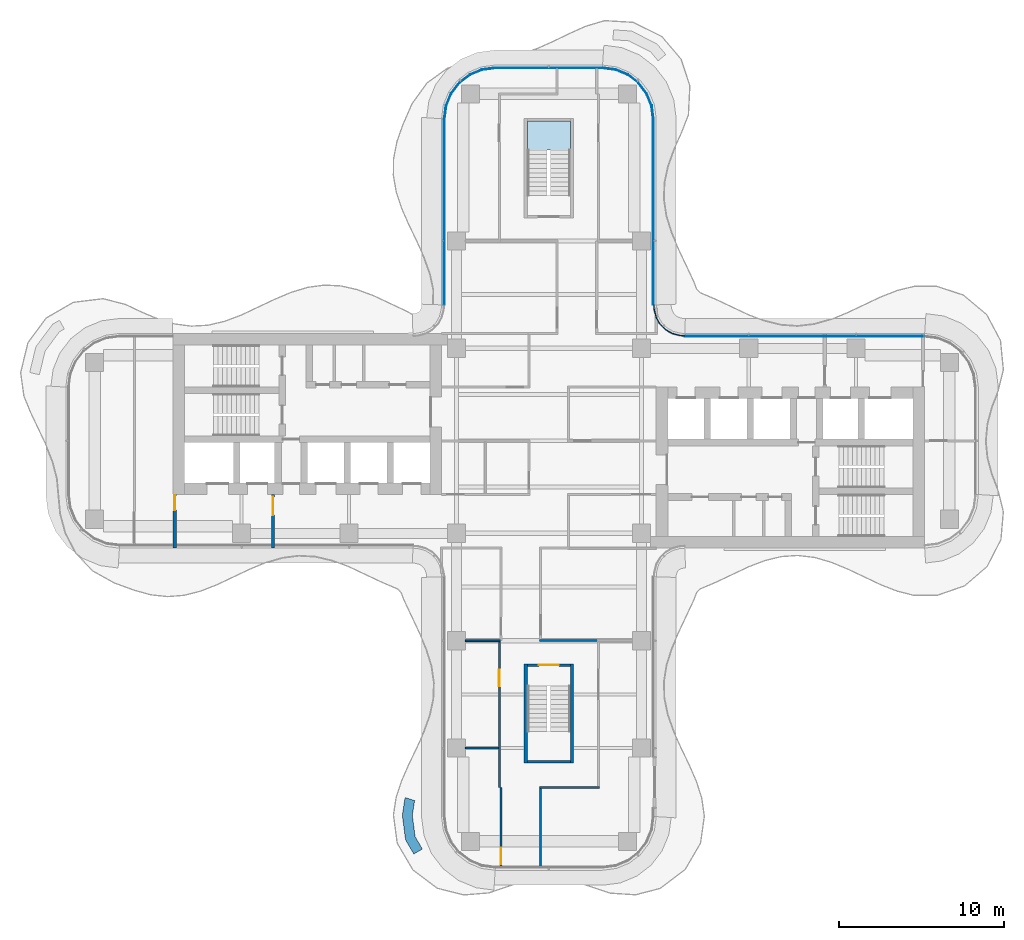
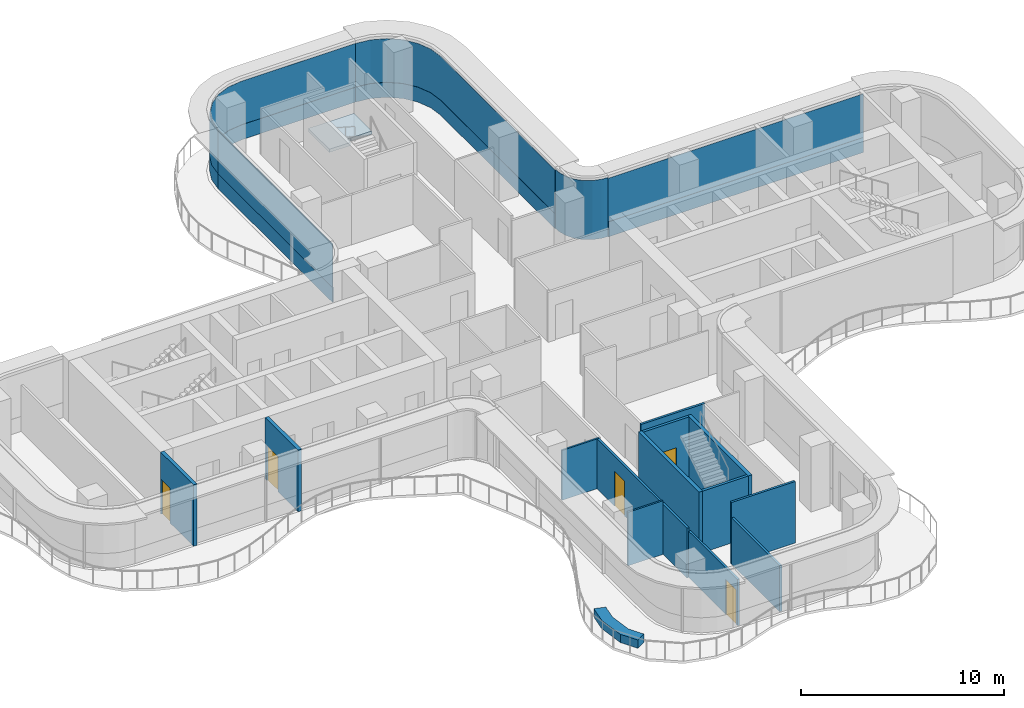
# One storey, part 11 of 17: 14 walls, 9 plates, 5 doors, 1 slab, 5 openings, 6 elements without a shape of their own.
"""IFC4 building model written with IfcOpenShell, lengths in metres."""

from ifc_helpers import new_model, si_unit, direction, frame, frame_2d, origin, place, context, subcontext, project, spatial, polyline, rectangle, outline, extrude, source, transform, mapped, material, layer, layer_set, type_object, element, fill, aggregate, save


model = new_model("IFC4")

# Units and contexts
model_context = context("Model", 3, precision=1e-05, world=origin(), true_north=direction((0.0, 1.0)))
body_context = subcontext(model_context, "Body", "Model", "MODEL_VIEW")
ifc_project = project(units=[si_unit("LENGTHUNIT", "METRE"), si_unit("AREAUNIT", "SQUARE_METRE"), si_unit("VOLUMEUNIT", "CUBIC_METRE"), si_unit("PLANEANGLEUNIT", "RADIAN"), si_unit("MASSUNIT", "GRAM", prefix="KILO")], contexts=[model_context])

# Site, building, storey
site_placement = place(None, origin())
site = spatial("IfcSite", under=ifc_project, at=site_placement, CompositionType="ELEMENT")
building_placement = place(site_placement, origin())
building = spatial("IfcBuilding", under=site, at=building_placement, Name="Trellis Farm Tower", CompositionType="ELEMENT")
storey_placement = place(building_placement, frame((0.0, 0.0, 236.300048828125)))
storey = spatial("IfcBuildingStorey", under=building, at=storey_placement, Name="L52", CompositionType="ELEMENT", Elevation=236.300048828125)

# Stair, slab
ifc_material_1 = material(Name="Concrete C50/60", Category="concrete")
stair_type = type_object("IfcStairType", Name="CORE EXIT STAIR 22 RISERS 177 MM", PredefinedType="HALF_TURN_STAIR", material=ifc_material_1)
placement_1 = place(storey_placement, origin())
stair = element("IfcStair", 1, at=placement_1, inside=storey, type_object=stair_type, Name="Exit stair N", PredefinedType="HALF_TURN_STAIR")
ifc_layer_1 = layer(ifc_material_1, 0.18994140625)
ifc_layer_set_1 = layer_set([ifc_layer_1], Name="CORE STAIR LANDING 190 CONCRETE C50/60")
slab_type = type_object("IfcSlabType", Name="CORE STAIR LANDING 190 CONCRETE C50/60", PredefinedType="LANDING", material=ifc_layer_set_1)
shared_shape_1 = source(origin(), body_context, "Body", "SweptSolid", [
    extrude(outline(polyline([(-0.10009765625, 17.27197265625), (-1.300048828125, 17.27197265625), (-1.300048828125, 17.60009765625), (-1.300048828125, 19.35009765625), (1.300048828125, 19.35009765625), (1.300048828125, 17.60009765625), (1.300048828125, 17.590087890625), (0.10009765625, 17.590087890625), (0.10009765625, 17.60009765625), (-0.10009765625, 17.60009765625), (-0.10009765625, 17.27197265625)])), origin(), (0.0, 0.0, 1.0), 0.18994140625),
])
slab_placement = place(storey_placement, frame((0.0, 0.0, 1.760009765625)))
slab = element("IfcSlab", 2, at=slab_placement, type_object=slab_type, Name="STN landing 1", PredefinedType="LANDING", context=body_context, shape_type="MappedRepresentation", body=[
    mapped(shared_shape_1, transform((0.0, 0.0, 0.0))),
])
aggregate(stair, [slab])

# Curtain wall, plate
ifc_material_2 = material(Name="Aluminium and glass curtain wall", Category="aluminium")
ifc_layer_2 = layer(ifc_material_2, 0.166015625)
ifc_layer_set_2 = layer_set([ifc_layer_2], Name="WINTER GARDEN CURTAIN WALL CW3")
curtain_wall_type_1 = type_object("IfcCurtainWallType", Name="WINTER GARDEN CURTAIN WALL CW3", PredefinedType="NOTDEFINED", material=ifc_layer_set_2)
curtain_wall_1 = element("IfcCurtainWall", 3, at=placement_1, inside=storey, type_object=curtain_wall_type_1, Name="CW3 003", PredefinedType="NOTDEFINED")
ifc_material_3 = material(Name="Clear insulated glass", Category="glass")
ifc_layer_3 = layer(ifc_material_3, 0.0458984375)
ifc_layer_set_3 = layer_set([ifc_layer_3], Name="CW3 GLASS PANEL 46")
plate_type_1 = type_object("IfcPlateType", Name="CW3 GLASS PANEL 46", PredefinedType="CURTAIN_PANEL", material=ifc_layer_set_3)
shared_shape_2 = source(origin(), body_context, "Body", "SweptSolid", [
    extrude(outline(polyline([(8.2275390625, 6.3798828125), (8.0078125, 6.394287109375), (7.89208984375, 6.40966796875), (7.462158203125, 6.52490234375), (7.070556640625, 6.7509765625), (6.7509765625, 7.070556640625), (6.52490234375, 7.462158203125), (6.40966796875, 7.89208984375), (6.394287109375, 8.0078125), (6.3798828125, 8.2275390625), (6.333984375, 8.22607421875), (6.3486328125, 8.003173828125), (6.364501953125, 7.883056640625), (6.48193359375, 7.4443359375), (6.714111328125, 7.04248046875), (7.04248046875, 6.714111328125), (7.4443359375, 6.48193359375), (7.883056640625, 6.364501953125), (8.003173828125, 6.3486328125), (8.22607421875, 6.333984375), (8.2275390625, 6.3798828125)])), origin(), (0.0, 0.0, 1.0), 3.550048828125),
])
plate_1 = element("IfcPlate", 4, at=placement_1, type_object=plate_type_1, Name="PL3 003", PredefinedType="CURTAIN_PANEL", context=body_context, shape_type="MappedRepresentation", body=[
    mapped(shared_shape_2, transform((0.0, 0.0, 0.0))),
])
aggregate(curtain_wall_1, [plate_1])

# Curtain wall, plates
ifc_layer_4 = layer(ifc_material_2, 0.18994140625)
ifc_layer_set_4 = layer_set([ifc_layer_4], Name="RIBBON CURTAIN WALL CW1")
curtain_wall_type_2 = type_object("IfcCurtainWallType", Name="RIBBON CURTAIN WALL CW1", PredefinedType="NOTDEFINED", material=ifc_layer_set_4)
curtain_wall_2 = element("IfcCurtainWall", 5, at=placement_1, inside=storey, type_object=curtain_wall_type_2, Name="CW1 009", PredefinedType="NOTDEFINED")
ifc_layer_5 = layer(ifc_material_3, 0.0400390625)
ifc_layer_set_5 = layer_set([ifc_layer_5], Name="CW1 GLASS PANEL 40")
plate_type_2 = type_object("IfcPlateType", Name="CW1 GLASS PANEL 40", PredefinedType="CURTAIN_PANEL", material=ifc_layer_set_5)
shared_shape_3 = source(origin(), body_context, "Body", "SweptSolid", [
    extrude(outline(polyline([(6.35009765625, 8.2265625), (6.35009765625, 19.490234375), (6.2431640625, 20.302001953125), (5.93359375, 21.04931640625), (5.441162109375, 21.691162109375), (4.79931640625, 22.18359375), (4.052001953125, 22.4931640625), (3.240234375, 22.60009765625), (3.237548828125, 22.56005859375), (4.04150390625, 22.4541015625), (4.779296875, 22.148681640625), (5.41259765625, 21.66259765625), (5.898681640625, 21.029296875), (6.2041015625, 20.29150390625), (6.31005859375, 19.487548828125), (6.31005859375, 8.22509765625), (6.35009765625, 8.2265625)])), origin(), (0.0, 0.0, 1.0), 2.6201171875),
])
placement_2 = place(storey_placement, frame((0.0, 0.0, 0.89990234375)))
plate_2 = element("IfcPlate", 6, at=placement_2, type_object=plate_type_2, Name="PL1 009", PredefinedType="CURTAIN_PANEL", context=body_context, shape_type="MappedRepresentation", body=[
    mapped(shared_shape_3, transform((0.0, 0.0, 0.0))),
])
ifc_material_4 = material(Name="Sandstone faced insulated panel", Category="masonry")
ifc_layer_6 = layer(ifc_material_4, 0.050048828125)
ifc_layer_set_6 = layer_set([ifc_layer_6], Name="CW1 STONE SPANDREL PANEL 50")
plate_type_3 = type_object("IfcPlateType", Name="CW1 STONE SPANDREL PANEL 50", PredefinedType="CURTAIN_PANEL", material=ifc_layer_set_6)
shared_shape_4 = source(origin(), body_context, "Body", "SweptSolid", [
    extrude(outline(polyline([(6.35009765625, 8.2265625), (6.35009765625, 19.490234375), (6.2431640625, 20.302001953125), (5.93359375, 21.04931640625), (5.441162109375, 21.691162109375), (4.79931640625, 22.18359375), (4.052001953125, 22.4931640625), (3.240234375, 22.60009765625), (3.23681640625, 22.550048828125), (4.0390625, 22.4443359375), (4.774169921875, 22.139892578125), (5.405517578125, 21.655517578125), (5.889892578125, 21.024169921875), (6.1943359375, 20.2890625), (6.300048828125, 19.48681640625), (6.300048828125, 8.224853515625), (6.35009765625, 8.2265625)])), origin(), (0.0, 0.0, 1.0), 0.89990234375),
])
plate_3 = element("IfcPlate", 7, at=placement_1, type_object=plate_type_3, Name="PS1 009", PredefinedType="CURTAIN_PANEL", context=body_context, shape_type="MappedRepresentation", body=[
    mapped(shared_shape_4, transform((0.0, 0.0, 0.0))),
])
aggregate(curtain_wall_2, [plate_2, plate_3])

curtain_wall_3 = element("IfcCurtainWall", 8, at=placement_1, inside=storey, type_object=curtain_wall_type_2, Name="CW1 010", PredefinedType="NOTDEFINED")
shared_shape_5 = source(origin(), body_context, "Body", "SweptSolid", [
    extrude(outline(polyline([(3.240234375, 22.60009765625), (-3.240234375, 22.60009765625), (-4.052001953125, 22.4931640625), (-4.79931640625, 22.18359375), (-5.441162109375, 21.691162109375), (-5.93359375, 21.04931640625), (-6.2431640625, 20.302001953125), (-6.35009765625, 19.490234375), (-6.31005859375, 19.487548828125), (-6.2041015625, 20.29150390625), (-5.898681640625, 21.029296875), (-5.41259765625, 21.66259765625), (-4.779296875, 22.148681640625), (-4.04150390625, 22.4541015625), (-3.237548828125, 22.56005859375), (3.237548828125, 22.56005859375), (3.240234375, 22.60009765625)])), origin(), (0.0, 0.0, 1.0), 2.6201171875),
])
plate_4 = element("IfcPlate", 9, at=placement_2, type_object=plate_type_2, Name="PL1 010", PredefinedType="CURTAIN_PANEL", context=body_context, shape_type="MappedRepresentation", body=[
    mapped(shared_shape_5, transform((0.0, 0.0, 0.0))),
])
shared_shape_6 = source(origin(), body_context, "Body", "SweptSolid", [
    extrude(outline(polyline([(3.240234375, 22.60009765625), (-3.240234375, 22.60009765625), (-4.052001953125, 22.4931640625), (-4.79931640625, 22.18359375), (-5.441162109375, 21.691162109375), (-5.93359375, 21.04931640625), (-6.2431640625, 20.302001953125), (-6.35009765625, 19.490234375), (-6.300048828125, 19.48681640625), (-6.1943359375, 20.2890625), (-5.889892578125, 21.024169921875), (-5.405517578125, 21.655517578125), (-4.774169921875, 22.139892578125), (-4.0390625, 22.4443359375), (-3.23681640625, 22.550048828125), (3.23681640625, 22.550048828125), (3.240234375, 22.60009765625)])), origin(), (0.0, 0.0, 1.0), 0.89990234375),
])
plate_5 = element("IfcPlate", 10, at=placement_1, type_object=plate_type_3, Name="PS1 010", PredefinedType="CURTAIN_PANEL", context=body_context, shape_type="MappedRepresentation", body=[
    mapped(shared_shape_6, transform((0.0, 0.0, 0.0))),
])
aggregate(curtain_wall_3, [plate_4, plate_5])

curtain_wall_4 = element("IfcCurtainWall", 11, at=placement_1, inside=storey, type_object=curtain_wall_type_2, Name="CW1 011", PredefinedType="NOTDEFINED")
shared_shape_7 = source(origin(), body_context, "Body", "SweptSolid", [
    extrude(outline(polyline([(-6.35009765625, 19.490234375), (-6.35009765625, 8.2265625), (-6.31005859375, 8.22509765625), (-6.31005859375, 19.487548828125), (-6.35009765625, 19.490234375)])), origin(), (0.0, 0.0, 1.0), 2.6201171875),
])
plate_6 = element("IfcPlate", 12, at=placement_2, type_object=plate_type_2, Name="PL1 011", PredefinedType="CURTAIN_PANEL", context=body_context, shape_type="MappedRepresentation", body=[
    mapped(shared_shape_7, transform((0.0, 0.0, 0.0))),
])
shared_shape_8 = source(origin(), body_context, "Body", "SweptSolid", [
    extrude(outline(polyline([(-6.35009765625, 19.490234375), (-6.35009765625, 8.2265625), (-6.300048828125, 8.224853515625), (-6.300048828125, 19.48681640625), (-6.35009765625, 19.490234375)])), origin(), (0.0, 0.0, 1.0), 0.89990234375),
])
plate_7 = element("IfcPlate", 13, at=placement_1, type_object=plate_type_3, Name="PS1 011", PredefinedType="CURTAIN_PANEL", context=body_context, shape_type="MappedRepresentation", body=[
    mapped(shared_shape_8, transform((0.0, 0.0, 0.0))),
])
aggregate(curtain_wall_4, [plate_6, plate_7])

curtain_wall_5 = element("IfcCurtainWall", 14, at=placement_1, inside=storey, type_object=curtain_wall_type_2, Name="CW1 008", PredefinedType="NOTDEFINED")
shared_shape_9 = source(origin(), body_context, "Body", "SweptSolid", [
    extrude(outline(polyline([(22.740234375, 6.35009765625), (8.2265625, 6.35009765625), (8.22509765625, 6.31005859375), (22.737548828125, 6.31005859375), (22.740234375, 6.35009765625)])), origin(), (0.0, 0.0, 1.0), 2.6201171875),
])
plate_8 = element("IfcPlate", 15, at=placement_2, type_object=plate_type_2, Name="PL1 008", PredefinedType="CURTAIN_PANEL", context=body_context, shape_type="MappedRepresentation", body=[
    mapped(shared_shape_9, transform((0.0, 0.0, 0.0))),
])
shared_shape_10 = source(origin(), body_context, "Body", "SweptSolid", [
    extrude(outline(polyline([(22.740234375, 6.35009765625), (8.2265625, 6.35009765625), (8.224853515625, 6.300048828125), (22.73681640625, 6.300048828125), (22.740234375, 6.35009765625)])), origin(), (0.0, 0.0, 1.0), 0.89990234375),
])
plate_9 = element("IfcPlate", 16, at=placement_1, type_object=plate_type_3, Name="PS1 008", PredefinedType="CURTAIN_PANEL", context=body_context, shape_type="MappedRepresentation", body=[
    mapped(shared_shape_10, transform((0.0, 0.0, 0.0))),
])
aggregate(curtain_wall_5, [plate_8, plate_9])

# Walls
ifc_material_5 = material(Name="Plasterboard on steel studs", Category="steel")
ifc_layer_7 = layer(ifc_material_5, 0.10009765625)
ifc_layer_set_7 = layer_set([ifc_layer_7], Name="PARTITION 100 STUD EI 30")
wall_type_1 = type_object("IfcWallType", Name="PARTITION 100 STUD EI 30", PredefinedType="PARTITIONING", material=ifc_layer_set_7)
wall_1_placement = place(storey_placement, frame((-5.050048828125, -18.60009765625, 0.0), z_axis=(0.0, 0.0, 1.0), x_axis=(1.0, 0.0, 0.0)))
element("IfcWall", 17, at=wall_1_placement, inside=storey, type_object=wall_type_1, Name="Partition PW2", PredefinedType="PARTITIONING", context=body_context, shape_type="SweptSolid", body=[
    extrude(rectangle(XDim=1.987548828125, YDim=0.10009765625, at=frame_2d((0.99365234375, 0.0))), origin(), (0.0, 0.0, 1.0), 3.222900390625),
])
ifc_material_6 = material(Name="Sandstone faced masonry planter", Category="masonry")
ifc_layer_8 = layer(ifc_material_6, 0.60009765625)
ifc_layer_set_8 = layer_set([ifc_layer_8], Name="PLANTER BED 600")
wall_type_2 = type_object("IfcWallType", Name="PLANTER BED 600", PredefinedType="USERDEFINED", material=ifc_layer_set_8)
element("IfcWall", 18, at=placement_1, inside=storey, type_object=wall_type_2, Name="PLANTER bed", ObjectType="PLANTER", PredefinedType="USERDEFINED", context=body_context, shape_type="SweptSolid", body=[
    extrude(outline(polyline([(-8.872802734375, -22.673583984375), (-8.73046875, -21.740478515625), (-8.685302734375, -21.6015625), (-8.11474609375, -21.787109375), (-8.144775390625, -21.87939453125), (-8.266845703125, -22.68017578125), (-8.0986328125, -23.962890625), (-7.658935546875, -24.714111328125), (-8.1767578125, -25.01708984375), (-8.677734375, -24.161376953125), (-8.872802734375, -22.673583984375)])), origin(), (0.0, 0.0, 1.0), 0.5),
])

# Wall, opening, door
ifc_material_7 = material(Name="Masonry blockwork", Category="masonry")
ifc_layer_9 = layer(ifc_material_7, 0.199951171875)
ifc_layer_set_9 = layer_set([ifc_layer_9], Name="FIRE LOBBY PARTITION 200 BLOCKWORK")
wall_type_3 = type_object("IfcWallType", Name="FIRE LOBBY PARTITION 200 BLOCKWORK", PredefinedType="PARTITIONING", material=ifc_layer_set_9)
shared_shape_11 = source(origin(), body_context, "Body", "SweptSolid", [
    extrude(rectangle(XDim=3.25, YDim=0.199951171875, at=frame_2d((1.625, 0.0))), origin(), (0.0, 0.0, 1.0), 3.699951171875),
])
wall_3_placement = place(storey_placement, frame((-16.699951171875, -3.25, 0.0), z_axis=(0.0, 0.0, 1.0), x_axis=(0.0, -1.0, 0.0)))
wall_3 = element("IfcWall", 19, at=wall_3_placement, inside=storey, type_object=wall_type_3, Name="Fire-fighting lobby partition", PredefinedType="PARTITIONING", context=body_context, shape_type="MappedRepresentation", body=[
    mapped(shared_shape_11, transform((0.0, 0.0, 0.0))),
])
shared_shape_12 = source(origin(), body_context, "Body", "SweptSolid", [
    extrude(rectangle(XDim=1.10009765625, YDim=2.10009765625, at=frame_2d((0.550048828125, 1.050048828125))), frame((0.0, 0.110107421875, 0.0), z_axis=(0.0, -1.0, 0.0), x_axis=(1.0, 0.0, 0.0)), (0.0, 0.0, 1.0), 0.22021484375),
])
opening_1_placement = place(wall_3_placement, frame((0.14990234375, 0.0, 0.0)))
opening_1 = element("IfcOpeningElement", 20, at=opening_1_placement, cuts=wall_3, Name="Opening DC93", PredefinedType="OPENING", context=body_context, shape_type="MappedRepresentation", body=[
    mapped(shared_shape_12, transform((0.0, 0.0, 0.0))),
])
ifc_material_8 = material(Name="Steel", Category="steel")
door_type_1 = type_object("IfcDoorType", Name="CORE FIRE DOOR 1100 X 2100", OperationType="NOTDEFINED", PredefinedType="DOOR", material=ifc_material_8)
shared_shape_13 = source(origin(), body_context, "Body", "SweptSolid", [
    extrude(rectangle(XDim=1.10009765625, YDim=2.10009765625, at=frame_2d((0.550048828125, 1.050048828125))), frame((0.0, 0.02490234375, 0.0), z_axis=(0.0, -1.0, 0.0), x_axis=(1.0, 0.0, 0.0)), (0.0, 0.0, 1.0), 0.050048828125),
])
door_1_placement = place(opening_1_placement, origin())
door_1 = element("IfcDoor", 21, at=door_1_placement, inside=storey, type_object=door_type_1, Name="Core door", OperationType="SINGLE_SWING_RIGHT", OverallHeight=2.10009765625, OverallWidth=1.10009765625, PredefinedType="DOOR", context=body_context, shape_type="MappedRepresentation", body=[
    mapped(shared_shape_13, transform((0.0, 0.0, 0.0))),
])
fill(opening_1, door_1)

wall_4_placement = place(storey_placement, frame((-22.64990234375, -3.25, 0.0), z_axis=(0.0, 0.0, 1.0), x_axis=(0.0, -1.0, 0.0)))
wall_4 = element("IfcWall", 22, at=wall_4_placement, inside=storey, type_object=wall_type_3, Name="Fire-fighting lobby partition", PredefinedType="PARTITIONING", context=body_context, shape_type="MappedRepresentation", body=[
    mapped(shared_shape_11, transform((0.0, 0.0, 0.0))),
])
shared_shape_14 = source(origin(), body_context, "Body", "SweptSolid", [
    extrude(rectangle(XDim=0.89990234375, YDim=2.10009765625, at=frame_2d((0.449951171875, 1.050048828125))), frame((0.0, 0.110107421875, 0.0), z_axis=(0.0, -1.0, 0.0), x_axis=(1.0, 0.0, 0.0)), (0.0, 0.0, 1.0), 0.22021484375),
])
opening_2_placement = place(wall_4_placement, frame((0.050048828125, 0.0, 0.0)))
opening_2 = element("IfcOpeningElement", 23, at=opening_2_placement, cuts=wall_4, Name="Opening DC94", PredefinedType="OPENING", context=body_context, shape_type="MappedRepresentation", body=[
    mapped(shared_shape_14, transform((0.0, 0.0, 0.0))),
])
door_type_2 = type_object("IfcDoorType", Name="CORE FIRE DOOR 900 X 2100", OperationType="NOTDEFINED", PredefinedType="DOOR", material=ifc_material_8)
shared_shape_15 = source(origin(), body_context, "Body", "SweptSolid", [
    extrude(rectangle(XDim=0.89990234375, YDim=2.10009765625, at=frame_2d((0.449951171875, 1.050048828125))), frame((0.0, 0.02490234375, 0.0), z_axis=(0.0, -1.0, 0.0), x_axis=(1.0, 0.0, 0.0)), (0.0, 0.0, 1.0), 0.050048828125),
])
door_2_placement = place(opening_2_placement, origin())
door_2 = element("IfcDoor", 24, at=door_2_placement, inside=storey, type_object=door_type_2, Name="Core door", OperationType="SINGLE_SWING_RIGHT", OverallHeight=2.10009765625, OverallWidth=0.89990234375, PredefinedType="DOOR", context=body_context, shape_type="MappedRepresentation", body=[
    mapped(shared_shape_15, transform((0.0, 0.0, 0.0))),
])
fill(opening_2, door_2)

# Walls
ifc_material_9 = material(Name="Concrete C60/75", Category="concrete")
ifc_layer_10 = layer(ifc_material_9, 0.199951171875)
ifc_layer_set_10 = layer_set([ifc_layer_10], Name="CORE STAIR ENCLOSURE WALL 200 CONCRETE C60/75")
wall_type_4 = type_object("IfcWallType", Name="CORE STAIR ENCLOSURE WALL 200 CONCRETE C60/75", PredefinedType="SHEAR", material=ifc_layer_set_10)
shared_shape_16 = source(origin(), body_context, "Body", "SweptSolid", [
    extrude(rectangle(XDim=6.0, YDim=0.199951171875, at=frame_2d((3.0, 0.0))), origin(), (0.0, 0.0, 1.0), 3.699951171875),
])
for number, where, z_axis, x_axis, name in (
    (25, (1.39990234375, -13.5, 0.0), (0.0, 0.0, 1.0), (0.0, -1.0, 0.0), "Stair enclosure wall"),
    (26, (-1.39990234375, -13.5, 0.0), (0.0, 0.0, 1.0), (0.0, -1.0, 0.0), "Stair enclosure wall"),
):
    element("IfcWall", number, at=place(storey_placement, frame(where, z_axis=z_axis, x_axis=x_axis)), inside=storey, type_object=wall_type_4, Name=name, PredefinedType="SHEAR", context=body_context, shape_type="MappedRepresentation", body=[
        mapped(shared_shape_16, transform((0.0, 0.0, 0.0))),
    ])

# Wall, opening, door
ifc_layer_11 = layer(ifc_material_9, 0.14990234375)
ifc_layer_set_11 = layer_set([ifc_layer_11], Name="CORE STAIR ENCLOSURE WALL 150 CONCRETE C60/75")
wall_type_5 = type_object("IfcWallType", Name="CORE STAIR ENCLOSURE WALL 150 CONCRETE C60/75", PredefinedType="SHEAR", material=ifc_layer_set_11)
shared_shape_17 = source(origin(), body_context, "Body", "SweptSolid", [
    extrude(rectangle(XDim=2.60009765625, YDim=0.14990234375, at=frame_2d((1.300048828125, 0.0))), origin(), (0.0, 0.0, 1.0), 3.699951171875),
])
wall_5_placement = place(storey_placement, frame((1.300048828125, -13.574951171875, 0.0), z_axis=(0.0, 0.0, 1.0), x_axis=(-1.0, 0.0, 0.0)))
wall_5 = element("IfcWall", 27, at=wall_5_placement, inside=storey, type_object=wall_type_5, Name="Stair enclosure wall", PredefinedType="SHEAR", context=body_context, shape_type="MappedRepresentation", body=[
    mapped(shared_shape_17, transform((0.0, 0.0, 0.0))),
])
shared_shape_18 = source(origin(), body_context, "Body", "SweptSolid", [
    extrude(rectangle(XDim=1.199951171875, YDim=2.10009765625, at=frame_2d((0.60009765625, 1.050048828125))), frame((0.0, 0.0849609375, 0.0), z_axis=(0.0, -1.0, 0.0), x_axis=(1.0, 0.0, 0.0)), (0.0, 0.0, 1.0), 0.169921875),
])
opening_3_placement = place(wall_5_placement, frame((0.699951171875, 0.0, 0.0)))
opening_3 = element("IfcOpeningElement", 28, at=opening_3_placement, cuts=wall_5, Name="Opening DC174", PredefinedType="OPENING", context=body_context, shape_type="MappedRepresentation", body=[
    mapped(shared_shape_18, transform((0.0, 0.0, 0.0))),
])
door_type_3 = type_object("IfcDoorType", Name="CORE FIRE DOOR 1200 X 2100", OperationType="NOTDEFINED", PredefinedType="DOOR", material=ifc_material_8)
shared_shape_19 = source(origin(), body_context, "Body", "SweptSolid", [
    extrude(rectangle(XDim=1.199951171875, YDim=2.10009765625, at=frame_2d((0.60009765625, 1.050048828125))), frame((0.0, 0.02490234375, 0.0), z_axis=(0.0, -1.0, 0.0), x_axis=(1.0, 0.0, 0.0)), (0.0, 0.0, 1.0), 0.050048828125),
])
door_3_placement = place(opening_3_placement, origin())
door_3 = element("IfcDoor", 29, at=door_3_placement, inside=storey, type_object=door_type_3, Name="Core door", OperationType="SINGLE_SWING_RIGHT", OverallHeight=2.10009765625, OverallWidth=1.199951171875, PredefinedType="DOOR", context=body_context, shape_type="MappedRepresentation", body=[
    mapped(shared_shape_19, transform((0.0, 0.0, 0.0))),
])
fill(opening_3, door_3)

# Wall
wall_6_placement = place(storey_placement, frame((1.300048828125, -19.425048828125, 0.0), z_axis=(0.0, 0.0, 1.0), x_axis=(-1.0, 0.0, 0.0)))
element("IfcWall", 30, at=wall_6_placement, inside=storey, type_object=wall_type_5, Name="Stair enclosure wall", PredefinedType="SHEAR", context=body_context, shape_type="MappedRepresentation", body=[
    mapped(shared_shape_17, transform((0.0, 0.0, 0.0))),
])

# Wall, opening, door
ifc_material_10 = material(Name="Plasterboard on steel studs, mineral wool", Category="steel")
ifc_layer_12 = layer(ifc_material_10, 0.125)
ifc_layer_set_12 = layer_set([ifc_layer_12], Name="PARTITION 125 STUD EI 60")
wall_type_6 = type_object("IfcWallType", Name="PARTITION 125 STUD EI 60", PredefinedType="PARTITIONING", material=ifc_layer_set_12)
shared_shape_20 = source(origin(), body_context, "Body", "SweptSolid", [
    extrude(rectangle(XDim=4.800048828125, YDim=0.125, at=frame_2d((2.39990234375, 0.0))), origin(), (0.0, 0.0, 1.0), 2.780029296875),
])
wall_7_placement = place(storey_placement, frame((-2.89990234375, -25.800048828125, 0.0), z_axis=(0.0, 0.0, 1.0), x_axis=(0.0, 1.0, 0.0)))
wall_7 = element("IfcWall", 31, at=wall_7_placement, inside=storey, type_object=wall_type_6, Name="Partition PW1", PredefinedType="PARTITIONING", context=body_context, shape_type="MappedRepresentation", body=[
    mapped(shared_shape_20, transform((0.0, 0.0, 0.0))),
])
shared_shape_21 = source(origin(), body_context, "Body", "SweptSolid", [
    extrude(rectangle(XDim=1.0, YDim=2.10009765625, at=frame_2d((0.5, 1.050048828125))), frame((0.0, 0.072509765625, 0.0), z_axis=(0.0, -1.0, 0.0), x_axis=(1.0, 0.0, 0.0)), (0.0, 0.0, 1.0), 0.14501953125),
])
opening_4_placement = place(wall_7_placement, frame((0.14990234375, 0.0, 0.0)))
opening_4 = element("IfcOpeningElement", 32, at=opening_4_placement, cuts=wall_7, Name="Opening D101", PredefinedType="OPENING", context=body_context, shape_type="MappedRepresentation", body=[
    mapped(shared_shape_21, transform((0.0, 0.0, 0.0))),
])
ifc_material_11 = material(Name="Fire-rated timber door leaf in a hollow metal frame", Category="wood")
door_type_4 = type_object("IfcDoorType", Name="DOOR 1000x2100 FD30S", OperationType="NOTDEFINED", PredefinedType="DOOR", material=ifc_material_11)
shared_shape_22 = source(origin(), body_context, "Body", "SweptSolid", [
    extrude(rectangle(XDim=1.0, YDim=2.10009765625, at=frame_2d((0.5, 1.050048828125))), frame((0.0, 0.02490234375, 0.0), z_axis=(0.0, -1.0, 0.0), x_axis=(1.0, 0.0, 0.0)), (0.0, 0.0, 1.0), 0.050048828125),
])
door_4_placement = place(opening_4_placement, origin())
door_4 = element("IfcDoor", 33, at=door_4_placement, inside=storey, type_object=door_type_4, Name="Door D101", OperationType="SINGLE_SWING_LEFT", OverallHeight=2.10009765625, OverallWidth=1.0, PredefinedType="DOOR", context=body_context, shape_type="MappedRepresentation", body=[
    mapped(shared_shape_22, transform((0.0, 0.0, 0.0))),
])
fill(opening_4, door_4)

# Walls
shared_shape_23 = source(origin(), body_context, "Body", "SweptSolid", [
    extrude(rectangle(XDim=4.737548828125, YDim=0.125, at=frame_2d((2.36865234375, 0.0))), origin(), (0.0, 0.0, 1.0), 2.780029296875),
])
wall_8_placement = place(storey_placement, frame((-0.5, -21.0625, 0.0), z_axis=(0.0, 0.0, 1.0), x_axis=(0.0, -1.0, 0.0)))
element("IfcWall", 34, at=wall_8_placement, inside=storey, type_object=wall_type_6, Name="Partition PW1", PredefinedType="PARTITIONING", context=body_context, shape_type="MappedRepresentation", body=[
    mapped(shared_shape_23, transform((0.0, 0.0, 0.0))),
])
shared_shape_24 = source(origin(), body_context, "Body", "SweptSolid", [
    extrude(rectangle(XDim=3.625, YDim=0.125, at=frame_2d((1.8125, 0.0))), origin(), (0.0, 0.0, 1.0), 3.699951171875),
])
wall_9_placement = place(storey_placement, frame((3.0625, -21.0, 0.0), z_axis=(0.0, 0.0, 1.0), x_axis=(-1.0, 0.0, 0.0)))
element("IfcWall", 35, at=wall_9_placement, inside=storey, type_object=wall_type_6, Name="Partition PW1", PredefinedType="PARTITIONING", context=body_context, shape_type="MappedRepresentation", body=[
    mapped(shared_shape_24, transform((0.0, 0.0, 0.0))),
])
shared_shape_25 = source(origin(), body_context, "Body", "SweptSolid", [
    extrude(rectangle(XDim=3.625, YDim=0.125, at=frame_2d((1.8125, 0.0))), origin(), (0.0, 0.0, 1.0), 2.996337890625),
])
wall_10_placement = place(storey_placement, frame((-0.5625, -12.10009765625, 0.0), z_axis=(0.0, 0.0, 1.0), x_axis=(1.0, 0.0, 0.0)))
element("IfcWall", 36, at=wall_10_placement, inside=storey, type_object=wall_type_6, Name="Partition PW1", PredefinedType="PARTITIONING", context=body_context, shape_type="MappedRepresentation", body=[
    mapped(shared_shape_25, transform((0.0, 0.0, 0.0))),
])

# Wall, opening, door
shared_shape_26 = source(origin(), body_context, "Body", "SweptSolid", [
    extrude(rectangle(XDim=8.85009765625, YDim=0.125, at=frame_2d((4.425048828125, 0.0))), origin(), (0.0, 0.0, 1.0), 2.996337890625),
])
wall_11_placement = place(storey_placement, frame((-3.0, -21.0, 0.0), z_axis=(0.0, 0.0, 1.0), x_axis=(0.0, 1.0, 0.0)))
wall_11 = element("IfcWall", 37, at=wall_11_placement, inside=storey, type_object=wall_type_6, Name="Partition PW1", PredefinedType="PARTITIONING", context=body_context, shape_type="MappedRepresentation", body=[
    mapped(shared_shape_26, transform((0.0, 0.0, 0.0))),
])
opening_5_placement = place(wall_11_placement, frame((6.14990234375, 0.0, 0.0)))
opening_5 = element("IfcOpeningElement", 38, at=opening_5_placement, cuts=wall_11, Name="Opening D102", PredefinedType="OPENING", context=body_context, shape_type="MappedRepresentation", body=[
    mapped(shared_shape_21, transform((0.0, 0.0, 0.0))),
])
door_5_placement = place(opening_5_placement, origin())
door_5 = element("IfcDoor", 39, at=door_5_placement, inside=storey, type_object=door_type_4, Name="Door D102", OperationType="SINGLE_SWING_RIGHT", OverallHeight=2.10009765625, OverallWidth=1.0, PredefinedType="DOOR", context=body_context, shape_type="MappedRepresentation", body=[
    mapped(shared_shape_22, transform((0.0, 0.0, 0.0))),
])
fill(opening_5, door_5)

# Wall
shared_shape_27 = source(origin(), body_context, "Body", "SweptSolid", [
    extrude(rectangle(XDim=2.112548828125, YDim=0.10009765625, at=frame_2d((1.05615234375, 0.0))), origin(), (0.0, 0.0, 1.0), 2.996337890625),
])
wall_12_placement = place(storey_placement, frame((-5.050048828125, -12.10009765625, 0.0), z_axis=(0.0, 0.0, 1.0), x_axis=(1.0, 0.0, 0.0)))
element("IfcWall", 40, at=wall_12_placement, inside=storey, type_object=wall_type_1, Name="Partition PW2", PredefinedType="PARTITIONING", context=body_context, shape_type="MappedRepresentation", body=[
    mapped(shared_shape_27, transform((0.0, 0.0, 0.0))),
])

save(model, "model.ifc")
